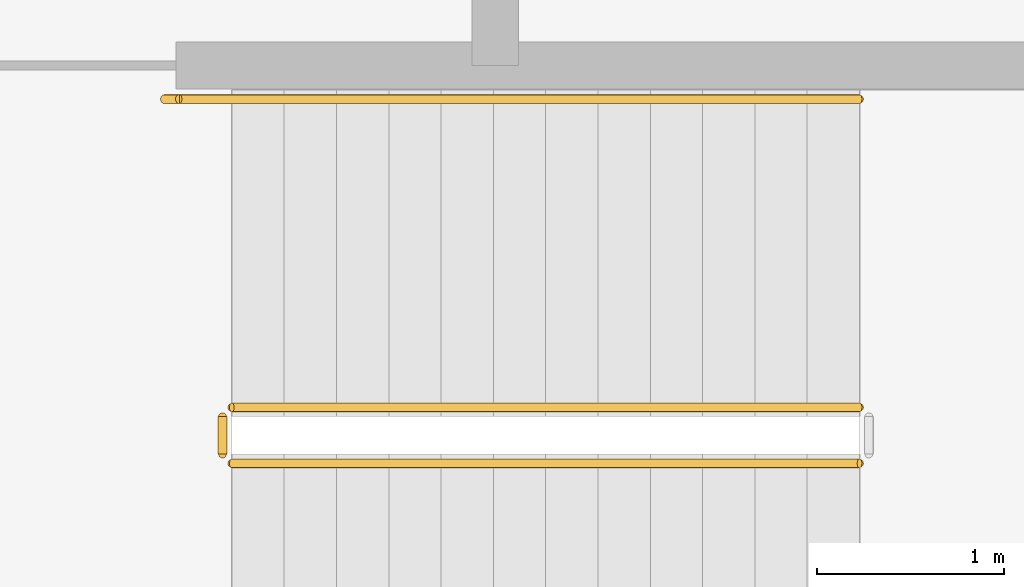
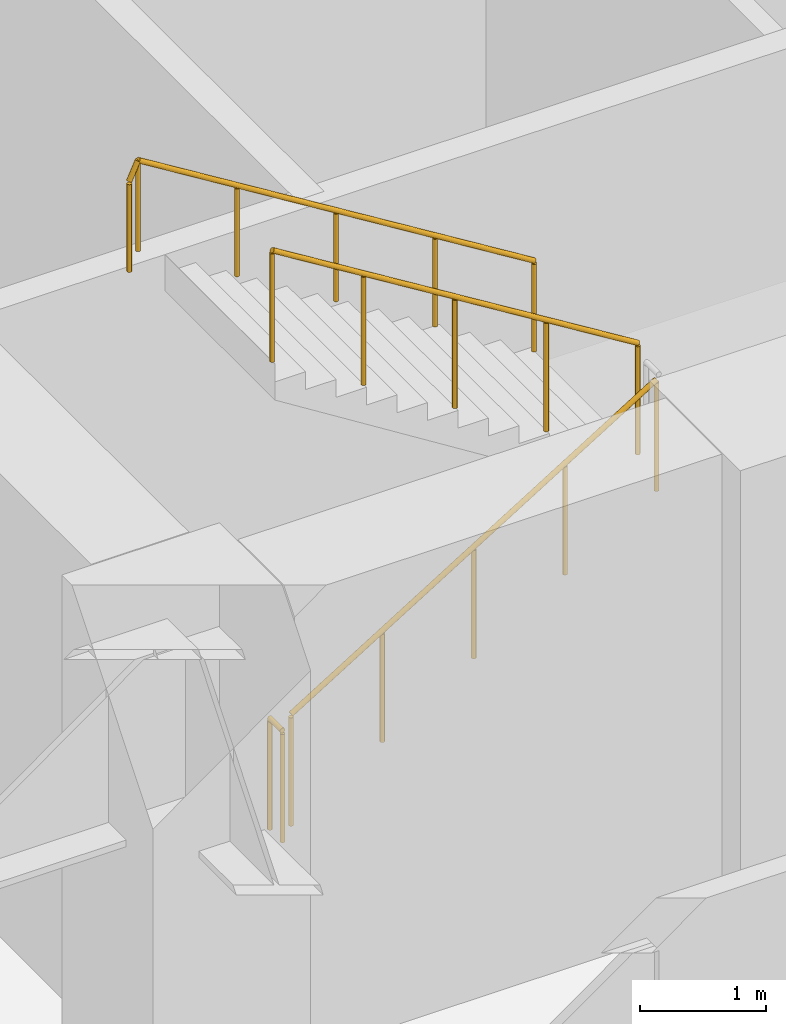
# One storey, part 33 of 37: 4 railings.
"""IFC4 building model written with IfcOpenShell, lengths in metres."""

from ifc_helpers import new_model, si_unit, direction, frame, origin, origin_2d, place, context, subcontext, project, spatial, circle, extrude, material, type_object, element, save


model = new_model("IFC4")

# Units and contexts
model_context = context("Model", 3, precision=1e-05, world=origin(), true_north=direction((0.0, 1.0)))
body_context = subcontext(model_context, "Body", "Model", "MODEL_VIEW")
ifc_project = project(units=[si_unit("LENGTHUNIT", "METRE"), si_unit("AREAUNIT", "SQUARE_METRE"), si_unit("VOLUMEUNIT", "CUBIC_METRE"), si_unit("PLANEANGLEUNIT", "RADIAN"), si_unit("MASSUNIT", "GRAM", prefix="KILO")], contexts=[model_context])

# Site, building, storey
site_placement = place(None, origin())
site = spatial("IfcSite", under=ifc_project, at=site_placement, CompositionType="ELEMENT")
building_placement = place(site_placement, origin())
building = spatial("IfcBuilding", under=site, at=building_placement, Name="Surkhivell Harbour Commons", CompositionType="ELEMENT")
storey_placement = place(building_placement, frame((0.0, 0.0, 18.0)))
storey = spatial("IfcBuildingStorey", under=building, at=storey_placement, Name="L04", CompositionType="ELEMENT", Elevation=18.0)

# Railings
ifc_material_1 = material(Name="Galvanised and painted steel S355 guard rail", Category="steel")
railing_type_1 = type_object("IfcRailingType", Name="RAL-ST-GRD1100", PredefinedType="GUARDRAIL", material=ifc_material_1)
railing_1_placement = place(storey_placement, frame((-8.590087890625, -8.639892578125, 0.173095703125)))
element("IfcRailing", 1, at=railing_1_placement, inside=storey, type_object=railing_type_1, Name="L04 ST3 stair guard 1", PredefinedType="GUARDRAIL", context=body_context, shape_type="SweptSolid", body=[
    extrude(circle(Radius=0.02392578125, at=origin_2d()), frame((0.0, 0.0, 1.076171875), z_axis=(0.850623216509, 0.0, 0.525775754039), x_axis=(0.0, 1.0, 0.0)), (0.0, 0.0, 1.0), 3.9501953125),
    extrude(circle(Radius=0.02099609375, at=origin_2d()), origin(), (0.0, 0.0, 1.0), 1.052001953125),
    extrude(circle(Radius=0.02099609375, at=origin_2d()), frame((0.840087890625, 0.0, 0.519287109375)), (0.0, 0.0, 1.0), 1.052001953125),
    extrude(circle(Radius=0.02099609375, at=origin_2d()), frame((1.68017578125, 0.0, 1.03857421875)), (0.0, 0.0, 1.0), 1.052001953125),
    extrude(circle(Radius=0.02099609375, at=origin_2d()), frame((2.52001953125, 0.0, 1.5576171875)), (0.0, 0.0, 1.0), 1.052001953125),
    extrude(circle(Radius=0.02099609375, at=origin_2d()), frame((3.360107421875, 0.0, 2.076904296875)), (0.0, 0.0, 1.0), 1.052001953125),
])
railing_2_placement = place(storey_placement, frame((-5.22998046875, -8.340087890625, 2.423095703125)))
element("IfcRailing", 2, at=railing_2_placement, inside=storey, type_object=railing_type_1, Name="L04 ST3 stair guard 3", PredefinedType="GUARDRAIL", context=body_context, shape_type="SweptSolid", body=[
    extrude(circle(Radius=0.02392578125, at=origin_2d()), frame((0.0, 0.0, 1.076171875), z_axis=(-0.850623216509, 0.0, 0.525775754039), x_axis=(0.0, -1.0, 0.0)), (0.0, 0.0, 1.0), 3.9501953125),
    extrude(circle(Radius=0.02099609375, at=origin_2d()), origin(), (0.0, 0.0, 1.0), 1.052001953125),
    extrude(circle(Radius=0.02099609375, at=origin_2d()), frame((-0.840087890625, 0.0, 0.519287109375)), (0.0, 0.0, 1.0), 1.052001953125),
    extrude(circle(Radius=0.02099609375, at=origin_2d()), frame((-1.68017578125, 0.0, 1.03857421875)), (0.0, 0.0, 1.0), 1.052001953125),
    extrude(circle(Radius=0.02099609375, at=origin_2d()), frame((-2.52001953125, 0.0, 1.5576171875)), (0.0, 0.0, 1.0), 1.052001953125),
    extrude(circle(Radius=0.02099609375, at=origin_2d()), frame((-3.360107421875, 0.0, 2.076904296875)), (0.0, 0.0, 1.0), 1.052001953125),
])
railing_3_placement = place(storey_placement, frame((-8.639892578125, -8.590087890625, 0.0)))
element("IfcRailing", 3, at=railing_3_placement, inside=storey, type_object=railing_type_1, Name="L04 ST3 stair guard 4", PredefinedType="GUARDRAIL", context=body_context, shape_type="SweptSolid", body=[
    extrude(circle(Radius=0.02392578125, at=origin_2d()), frame((0.0, 0.0, 1.076171875), z_axis=(0.0, 1.0, 0.0), x_axis=(-1.0, 0.0, 0.0)), (0.0, 0.0, 1.0), 0.2001953125),
    extrude(circle(Radius=0.02099609375, at=origin_2d()), origin(), (0.0, 0.0, 1.0), 1.052001953125),
    extrude(circle(Radius=0.02099609375, at=origin_2d()), frame((0.0, 0.2001953125, 0.0)), (0.0, 0.0, 1.0), 1.052001953125),
])
ifc_material_2 = material(Name="Brushed stainless steel S355 handrail", Category="steel")
railing_type_2 = type_object("IfcRailingType", Name="RAL-ST-HND900", PredefinedType="HANDRAIL", material=ifc_material_2)
railing_4_placement = place(storey_placement, frame((-5.22998046875, -6.68994140625, 2.423095703125)))
element("IfcRailing", 4, at=railing_4_placement, inside=storey, type_object=railing_type_2, Name="L04 ST3 stair handrail 2", PredefinedType="HANDRAIL", context=body_context, shape_type="SweptSolid", body=[
    extrude(circle(Radius=0.02392578125, at=origin_2d()), frame((0.0, 0.0, 0.8759765625), z_axis=(-0.850622404505, 0.0, 0.525777067734), x_axis=(0.0, -1.0, 0.0)), (0.0, 0.0, 1.0), 4.279296875),
    extrude(circle(Radius=0.02392578125, at=origin_2d()), frame((-3.64013671875, 0.0, 3.1259765625), z_axis=(-0.418814502111, 0.0, -0.908071810388), x_axis=(0.0, -1.0, 0.0)), (0.0, 0.0, 1.0), 0.190673828125),
    extrude(circle(Radius=0.02099609375, at=origin_2d()), origin(), (0.0, 0.0, 1.0), 0.851806640625),
    extrude(circle(Radius=0.02099609375, at=origin_2d()), frame((-0.91015625, 0.0, 0.5625)), (0.0, 0.0, 1.0), 0.851806640625),
    extrude(circle(Radius=0.02099609375, at=origin_2d()), frame((-1.820068359375, 0.0, 1.125)), (0.0, 0.0, 1.0), 0.851806640625),
    extrude(circle(Radius=0.02099609375, at=origin_2d()), frame((-2.72998046875, 0.0, 1.6875)), (0.0, 0.0, 1.0), 0.851806640625),
    extrude(circle(Radius=0.02099609375, at=origin_2d()), frame((-3.64013671875, 0.0, 2.25)), (0.0, 0.0, 1.0), 0.851806640625),
    extrude(circle(Radius=0.02099609375, at=origin_2d()), frame((-3.719970703125, 0.0, 2.076904296875)), (0.0, 0.0, 1.0), 0.851806640625),
])

save(model, "model.ifc")
